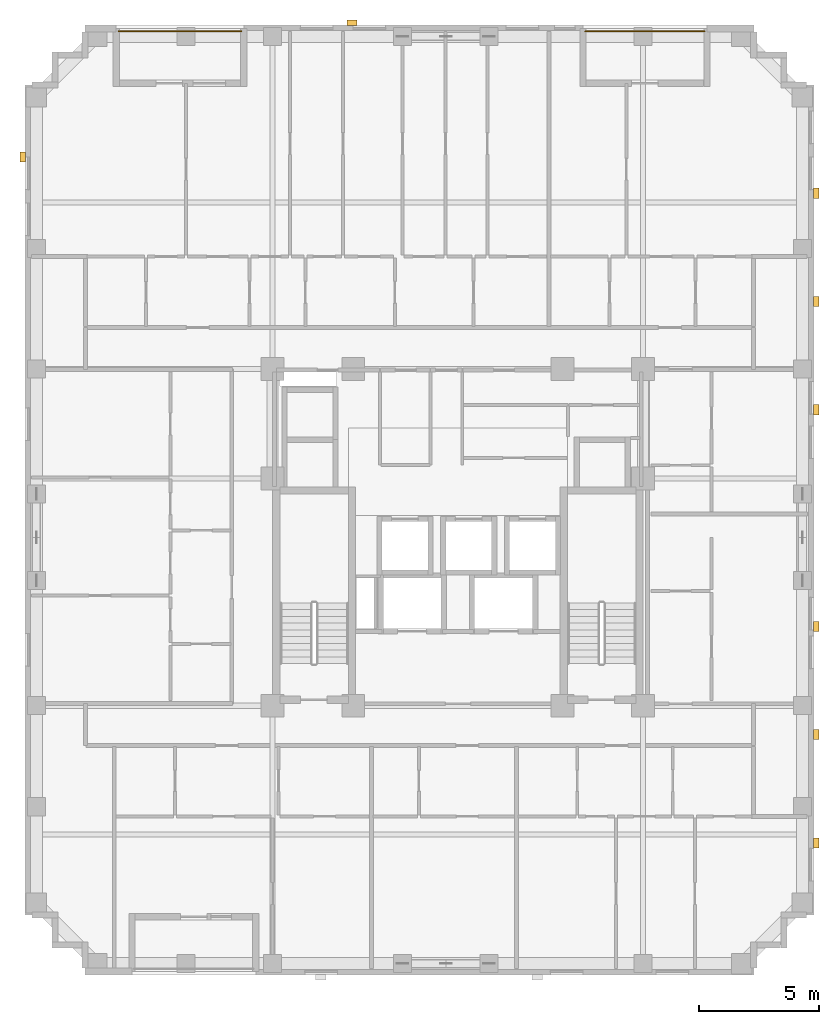
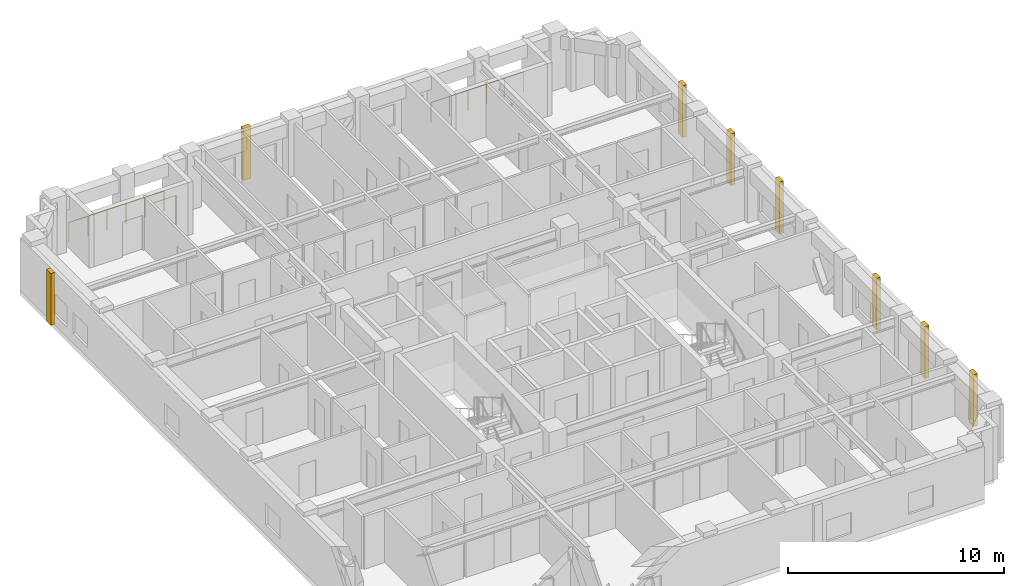
# One storey, part 11 of 11: 8 coverings, 2 railings.
"""IFC4 building model written with IfcOpenShell, lengths in metres."""

from ifc_helpers import new_model, si_unit, derived_unit, direction, frame, origin, origin_2d, place, context, subcontext, project, spatial, rectangle, circle, extrude, material, layer, layer_set, type_object, element, save


model = new_model("IFC4")

# Units and contexts
model_context = context("Model", 3, precision=1e-05, world=origin(), true_north=direction((0.0, 1.0)))
body_context = subcontext(model_context, "Body", "Model", "MODEL_VIEW")
ifc_project = project(units=[si_unit("LENGTHUNIT", "METRE"), si_unit("AREAUNIT", "SQUARE_METRE"), si_unit("VOLUMEUNIT", "CUBIC_METRE"), si_unit("PLANEANGLEUNIT", "RADIAN"), si_unit("MASSUNIT", "GRAM", prefix="KILO"), derived_unit("THERMALTRANSMITTANCEUNIT", [(si_unit("MASSUNIT", "GRAM", prefix="KILO"), 1), (si_unit("TIMEUNIT", "SECOND"), -3), (si_unit("THERMODYNAMICTEMPERATUREUNIT", "KELVIN"), -1)])], contexts=[model_context])

# Site, building, storey
site_placement = place(None, origin())
site = spatial("IfcSite", under=ifc_project, at=site_placement, CompositionType="ELEMENT")
building_placement = place(site_placement, origin())
building = spatial("IfcBuilding", under=site, at=building_placement, Name="Korrvale Station Residences", CompositionType="ELEMENT")
storey_placement = place(building_placement, frame((0.0, 0.0, 137.39990234375)))
storey = spatial("IfcBuildingStorey", under=building, at=storey_placement, Name="L39", CompositionType="ELEMENT", Elevation=137.39990234375)

# Coverings
ifc_material_1 = material(Name="Architectural precast concrete C45/55", Category="concrete")
ifc_layer = layer(ifc_material_1, 0.219970703125, Name="Architectural precast concrete C45/55")
ifc_layer_set = layer_set([ifc_layer], Name="Architectural precast concrete C45/55")
covering_type = type_object("IfcCoveringType", Name="COV-PIER-400", PredefinedType="CLADDING", material=ifc_layer_set)
for number, where, z_axis, x_axis, name in (
    (1, (21.10009765625, 43.389892578125, 0.025146484375), (0.0, 0.0, 1.0), (1.0, 0.0, 0.0), "L39 Architectural Precast Facade Pier 03"),
    (2, (7.409912109375, 37.800048828125, 0.025146484375), (0.0, 0.0, 1.0), (0.0, 1.0, 0.0), "L39 Architectural Precast Facade Pier 04"),
    (3, (40.389892578125, 36.300048828125, 0.025146484375), (0.0, 0.0, 1.0), (0.0, 1.0, 0.0), "L39 Architectural Precast Facade Pier 05"),
    (4, (40.389892578125, 31.800048828125, 0.025146484375), (0.0, 0.0, 1.0), (0.0, 1.0, 0.0), "L39 Architectural Precast Facade Pier 06"),
    (5, (40.389892578125, 27.300048828125, 0.025146484375), (0.0, 0.0, 1.0), (0.0, 1.0, 0.0), "L39 Architectural Precast Facade Pier 07"),
    (6, (40.389892578125, 18.300048828125, 0.025146484375), (0.0, 0.0, 1.0), (0.0, 1.0, 0.0), "L39 Architectural Precast Facade Pier 08"),
    (7, (40.389892578125, 13.800048828125, 0.025146484375), (0.0, 0.0, 1.0), (0.0, 1.0, 0.0), "L39 Architectural Precast Facade Pier 09"),
    (8, (40.389892578125, 9.300048828125, 0.025146484375), (0.0, 0.0, 1.0), (0.0, 1.0, 0.0), "L39 Architectural Precast Facade Pier 10"),
):
    element("IfcCovering", number, at=place(storey_placement, frame(where, z_axis=z_axis, x_axis=x_axis)), inside=storey, type_object=covering_type, Name=name, PredefinedType="CLADDING", context=body_context, shape_type="SweptSolid", body=[
        extrude(rectangle(XDim=0.419921875, YDim=0.219970703125, at=origin_2d()), origin(), (0.0, 0.0, 1.0), 2.93994140625),
    ])

# Railings
ifc_material_2 = material(Name="Powder-coated aluminium picket loggia guard", Category="aluminium")
railing_type = type_object("IfcRailingType", Name="RLG-BAL-1150", PredefinedType="GUARDRAIL", material=ifc_material_2)
railing_1_placement = place(storey_placement, frame((11.39990234375, 43.030029296875, 0.0)))
element("IfcRailing", 9, at=railing_1_placement, inside=storey, type_object=railing_type, Name="L39 Recessed Loggia Guardrail BAL-L39-N2", PredefinedType="GUARDRAIL", context=body_context, shape_type="SweptSolid", body=[
    extrude(circle(Radius=0.02392578125, at=origin_2d()), frame((0.0, 0.0, 1.1259765625), z_axis=(1.0, 0.0, 0.0), x_axis=(0.0, 1.0, 0.0)), (0.0, 0.0, 1.0), 5.10009765625),
    extrude(circle(Radius=0.02099609375, at=origin_2d()), origin(), (0.0, 0.0, 1.0), 1.101806640625),
    extrude(circle(Radius=0.02099609375, at=origin_2d()), frame((1.02001953125, 0.0, 0.0)), (0.0, 0.0, 1.0), 1.101806640625),
    extrude(circle(Radius=0.02099609375, at=origin_2d()), frame((2.0400390625, 0.0, 0.0)), (0.0, 0.0, 1.0), 1.101806640625),
    extrude(circle(Radius=0.02099609375, at=origin_2d()), frame((3.06005859375, 0.0, 0.0)), (0.0, 0.0, 1.0), 1.101806640625),
    extrude(circle(Radius=0.02099609375, at=origin_2d()), frame((4.080078125, 0.0, 0.0)), (0.0, 0.0, 1.0), 1.101806640625),
    extrude(circle(Radius=0.02099609375, at=origin_2d()), frame((5.10009765625, 0.0, 0.0)), (0.0, 0.0, 1.0), 1.101806640625),
])
railing_2_placement = place(storey_placement, frame((30.800048828125, 43.030029296875, 0.0)))
element("IfcRailing", 10, at=railing_2_placement, inside=storey, type_object=railing_type, Name="L39 Recessed Loggia Guardrail BAL-L39-N1", PredefinedType="GUARDRAIL", context=body_context, shape_type="SweptSolid", body=[
    extrude(circle(Radius=0.02392578125, at=origin_2d()), frame((0.0, 0.0, 1.1259765625), z_axis=(1.0, 0.0, 0.0), x_axis=(0.0, 1.0, 0.0)), (0.0, 0.0, 1.0), 4.949951171875),
    extrude(circle(Radius=0.02099609375, at=origin_2d()), origin(), (0.0, 0.0, 1.0), 1.101806640625),
    extrude(circle(Radius=0.02099609375, at=origin_2d()), frame((0.989990234375, 0.0, 0.0)), (0.0, 0.0, 1.0), 1.101806640625),
    extrude(circle(Radius=0.02099609375, at=origin_2d()), frame((1.97998046875, 0.0, 0.0)), (0.0, 0.0, 1.0), 1.101806640625),
    extrude(circle(Radius=0.02099609375, at=origin_2d()), frame((2.969970703125, 0.0, 0.0)), (0.0, 0.0, 1.0), 1.101806640625),
    extrude(circle(Radius=0.02099609375, at=origin_2d()), frame((3.9599609375, 0.0, 0.0)), (0.0, 0.0, 1.0), 1.101806640625),
    extrude(circle(Radius=0.02099609375, at=origin_2d()), frame((4.949951171875, 0.0, 0.0)), (0.0, 0.0, 1.0), 1.101806640625),
])

save(model, "model.ifc")
